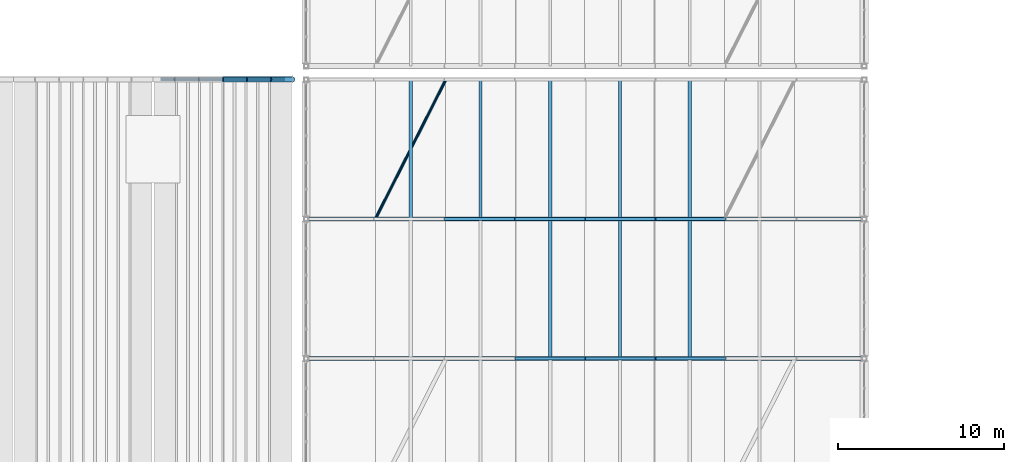
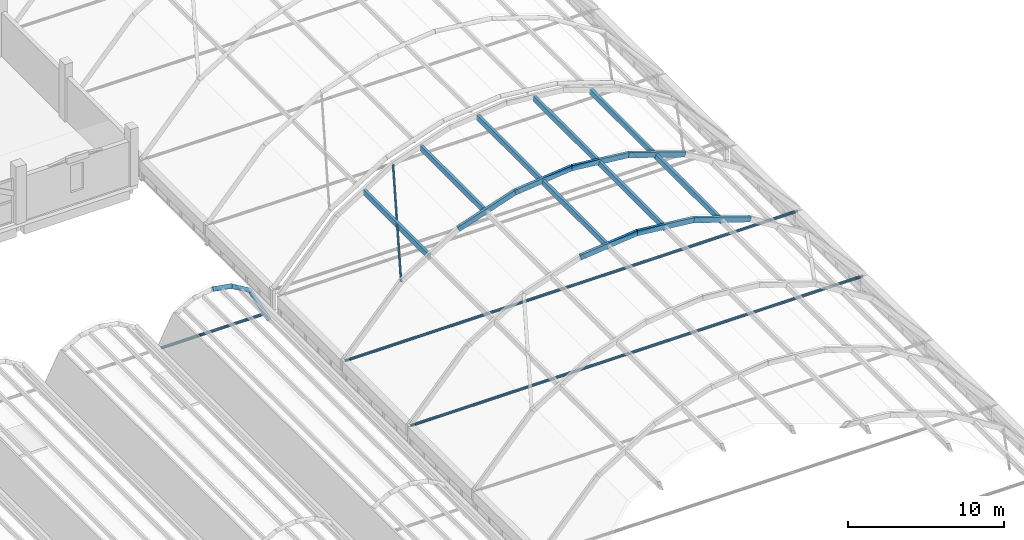
# One storey, part 30 of 114: 13 beams, 9 members.
"""IFC4 building model written with IfcOpenShell, lengths in metres."""

from ifc_helpers import new_model, si_unit, direction, frame, origin, origin_2d, place, context, subcontext, project, spatial, rectangle, hollow_rectangle, hollow_circle, extrude, material, material_profile, profile_set, type_object, element, save


model = new_model("IFC4")

# Units and contexts
model_context = context("Model", 3, precision=1e-05, world=origin(), true_north=direction((0.0, 1.0)))
body_context = subcontext(model_context, "Body", "Model", "MODEL_VIEW")
ifc_project = project(units=[si_unit("LENGTHUNIT", "METRE"), si_unit("AREAUNIT", "SQUARE_METRE"), si_unit("VOLUMEUNIT", "CUBIC_METRE"), si_unit("PLANEANGLEUNIT", "RADIAN"), si_unit("MASSUNIT", "GRAM", prefix="KILO")], contexts=[model_context])

# Site, building, storey
site_placement = place(None, origin())
site = spatial("IfcSite", under=ifc_project, at=site_placement, CompositionType="ELEMENT")
building_placement = place(site_placement, origin())
building = spatial("IfcBuilding", under=site, at=building_placement, Name="Xazarin Passage Department Store", CompositionType="ELEMENT")
storey_placement = place(building_placement, frame((0.0, 0.0, 14.39990234375)))
storey = spatial("IfcBuildingStorey", under=building, at=storey_placement, Name="L03", CompositionType="ELEMENT", Elevation=14.39990234375)

# Beams
ifc_material_1 = material(Name="Steel S355", Category="steel")
ifc_material_profile_1 = material_profile(ifc_material_1, hollow_circle(Radius=0.161865234375, WallThickness=0.01611328125, at=origin_2d()), Name="CHS 323.9x16")
ifc_profile_set_1 = profile_set([ifc_material_profile_1], Name="Steel S355")
beam_type_1 = type_object("IfcBeamType", Name="STR-BM-AR324", PredefinedType="BEAM", material=ifc_profile_set_1)
beam_1_placement = place(storey_placement, frame((63.0, 50.39990234375, 3.800048828125), z_axis=(0.985764236534, 0.0, -0.168133488547), x_axis=(0.0, 1.0, 0.0)))
element("IfcBeam", 1, at=beam_1_placement, inside=storey, type_object=beam_type_1, Name="L03 V3 Curved Shell Arch Rib 7.3.4", PredefinedType="BEAM", context=body_context, shape_type="SweptSolid", body=[
    extrude(hollow_circle(Radius=0.161865234375, WallThickness=0.01611328125, at=origin_2d()), origin(), (0.0, 0.0, 1.0), 1.420166015625),
])
beam_2_placement = place(storey_placement, frame((64.39990234375, 50.39990234375, 3.561279296875), z_axis=(0.861968986848, 0.0, -0.506961010051), x_axis=(0.0, 1.0, 0.0)))
element("IfcBeam", 2, at=beam_2_placement, inside=storey, type_object=beam_type_1, Name="L03 V3 Curved Shell Arch Rib 7.3.5", PredefinedType="BEAM", context=body_context, shape_type="SweptSolid", body=[
    extrude(hollow_circle(Radius=0.161865234375, WallThickness=0.01611328125, at=origin_2d()), origin(), (0.0, 0.0, 1.0), 1.624267578125),
])
beam_3_placement = place(storey_placement, frame((65.800048828125, 50.39990234375, 2.73779296875), z_axis=(0.455262137498, 0.0, -0.890357448535), x_axis=(0.0, 1.0, 0.0)))
element("IfcBeam", 3, at=beam_3_placement, inside=storey, type_object=beam_type_1, Name="L03 V3 Curved Shell Arch Rib 7.3.6", PredefinedType="BEAM", context=body_context, shape_type="SweptSolid", body=[
    extrude(hollow_circle(Radius=0.161865234375, WallThickness=0.01611328125, at=origin_2d()), origin(), (0.0, 0.0, 1.0), 3.074951171875),
])
ifc_material_profile_2 = material_profile(ifc_material_1, hollow_rectangle(XDim=0.199951171875, YDim=0.39990234375, WallThickness=0.01611328125, at=origin_2d()), Name="RHS 400x200x16")
ifc_profile_set_2 = profile_set([ifc_material_profile_2], Name="Steel S355")
beam_type_2 = type_object("IfcBeamType", Name="STR-BM-AR400", PredefinedType="BEAM", material=ifc_profile_set_2)
for number, where, z_axis, x_axis, name in (
    (4, (80.60009765625, 33.60009765625, 10.35400390625), (0.994407785938, 0.0, 0.105608499966), (0.0, 1.0, 0.0), "V2S Primary Arch Rib 5.4"),
    (5, (84.800048828125, 33.60009765625, 10.800048828125), (0.994407785938, 0.0, -0.105608499966), (0.0, 1.0, 0.0), "V2S Primary Arch Rib 5.5"),
):
    element("IfcBeam", number, at=place(storey_placement, frame(where, z_axis=z_axis, x_axis=x_axis)), inside=storey, type_object=beam_type_2, Name=name, PredefinedType="BEAM", context=body_context, shape_type="SweptSolid", body=[
        extrude(hollow_rectangle(XDim=0.199951171875, YDim=0.39990234375, WallThickness=0.01611328125, at=origin_2d()), origin(), (0.0, 0.0, 1.0), 4.2236328125),
    ])
beam_4_placement = place(storey_placement, frame((89.0, 33.60009765625, 10.35400390625), z_axis=(0.948457009421, 0.0, -0.316905823993), x_axis=(0.0, 1.0, 0.0)))
element("IfcBeam", 6, at=beam_4_placement, inside=storey, type_object=beam_type_2, Name="V2S Primary Arch Rib 5.6", PredefinedType="BEAM", context=body_context, shape_type="SweptSolid", body=[
    extrude(hollow_rectangle(XDim=0.199951171875, YDim=0.39990234375, WallThickness=0.01611328125, at=origin_2d()), origin(), (0.0, 0.0, 1.0), 4.42822265625),
])
beam_5_placement = place(storey_placement, frame((76.39990234375, 42.0, 8.95068359375), z_axis=(0.948462545979, 0.0, 0.31688925333), x_axis=(0.0, 1.0, 0.0)))
element("IfcBeam", 7, at=beam_5_placement, inside=storey, type_object=beam_type_2, Name="V2S Primary Arch Rib 6.3", PredefinedType="BEAM", context=body_context, shape_type="SweptSolid", body=[
    extrude(hollow_rectangle(XDim=0.199951171875, YDim=0.39990234375, WallThickness=0.01611328125, at=origin_2d()), origin(), (0.0, 0.0, 1.0), 4.428466796875),
])
for number, where, z_axis, x_axis, name in (
    (8, (80.60009765625, 42.0, 10.35400390625), (0.994407785938, 0.0, 0.105608499966), (0.0, 1.0, 0.0), "V2S Primary Arch Rib 6.4"),
    (9, (84.800048828125, 42.0, 10.800048828125), (0.994407785938, 0.0, -0.105608499966), (0.0, 1.0, 0.0), "V2S Primary Arch Rib 6.5"),
):
    element("IfcBeam", number, at=place(storey_placement, frame(where, z_axis=z_axis, x_axis=x_axis)), inside=storey, type_object=beam_type_2, Name=name, PredefinedType="BEAM", context=body_context, shape_type="SweptSolid", body=[
        extrude(hollow_rectangle(XDim=0.199951171875, YDim=0.39990234375, WallThickness=0.01611328125, at=origin_2d()), origin(), (0.0, 0.0, 1.0), 4.2236328125),
    ])
beam_6_placement = place(storey_placement, frame((89.0, 42.0, 10.35400390625), z_axis=(0.948457009421, 0.0, -0.316905823993), x_axis=(0.0, 1.0, 0.0)))
element("IfcBeam", 10, at=beam_6_placement, inside=storey, type_object=beam_type_2, Name="V2S Primary Arch Rib 6.6", PredefinedType="BEAM", context=body_context, shape_type="SweptSolid", body=[
    extrude(hollow_rectangle(XDim=0.199951171875, YDim=0.39990234375, WallThickness=0.01611328125, at=origin_2d()), origin(), (0.0, 0.0, 1.0), 4.42822265625),
])
ifc_material_profile_3 = material_profile(ifc_material_1, hollow_circle(Radius=0.109619140625, WallThickness=0.012451171875, at=origin_2d()), Name="CHS 219.1x12.5")
ifc_profile_set_3 = profile_set([ifc_material_profile_3], Name="Steel S355")
beam_type_3 = type_object("IfcBeamType", Name="STR-BM-TIE219", PredefinedType="BEAM", material=ifc_profile_set_3)
for number, where, z_axis, x_axis, name in (
    (11, (68.050048828125, 33.60009765625, 1.53173828125), (1.0, 0.0, 0.0), (0.0, 1.0, 0.0), "V2S Arch Tie Beam 5"),
    (12, (68.050048828125, 42.0, 1.53173828125), (1.0, 0.0, 0.0), (0.0, 1.0, 0.0), "V2S Arch Tie Beam 6"),
):
    element("IfcBeam", number, at=place(storey_placement, frame(where, z_axis=z_axis, x_axis=x_axis)), inside=storey, type_object=beam_type_3, Name=name, PredefinedType="BEAM", context=body_context, shape_type="SweptSolid", body=[
        extrude(hollow_circle(Radius=0.109619140625, WallThickness=0.012451171875, at=origin_2d()), origin(), (0.0, 0.0, 1.0), 33.5),
    ])
beam_7_placement = place(storey_placement, frame((59.25, 50.39990234375, 0.52001953125), z_axis=(1.0, 0.0, 0.0), x_axis=(0.0, 1.0, 0.0)))
element("IfcBeam", 13, at=beam_7_placement, inside=storey, type_object=beam_type_3, Name="L03 V3 Barrel Shell Tie 7.3", PredefinedType="BEAM", context=body_context, shape_type="SweptSolid", body=[
    extrude(hollow_circle(Radius=0.109619140625, WallThickness=0.012451171875, at=origin_2d()), origin(), (0.0, 0.0, 1.0), 7.5),
])

# Members
ifc_material_profile_4 = material_profile(ifc_material_1, hollow_circle(Radius=0.084228515625, WallThickness=0.010009765625, at=origin_2d()), Name="CHS 168.3x10")
ifc_profile_set_4 = profile_set([ifc_material_profile_4], Name="Steel S355")
member_type_1 = type_object("IfcMemberType", Name="STR-MEM-BR168", PredefinedType="BRACE", material=ifc_profile_set_4)
member_placement = place(storey_placement, frame((72.199951171875, 42.050048828125, 6.281982421875), z_axis=(0.434609592328, 0.858886375073, 0.270977299733), x_axis=(-0.892269998561, 0.451502214467, 0.0)))
element("IfcMember", 14, at=member_placement, inside=storey, type_object=member_type_1, Name="V2S Gridshell Diagonal Brace 6.1", PredefinedType="BRACE", context=body_context, shape_type="SweptSolid", body=[
    extrude(hollow_circle(Radius=0.084228515625, WallThickness=0.010009765625, at=origin_2d()), origin(), (0.0, 0.0, 1.0), 9.663818359375),
])
ifc_material_2 = material(Name="Glulam GL28h", Category="wood")
ifc_material_profile_5 = material_profile(ifc_material_2, rectangle(XDim=0.199951171875, YDim=0.43994140625, at=origin_2d()), Name="GL28h 200x440")
ifc_profile_set_5 = profile_set([ifc_material_profile_5], Name="Glulam GL28h")
member_type_2 = type_object("IfcMemberType", Name="STR-MEM-GL440", PredefinedType="PURLIN", material=ifc_profile_set_5)
for number, where, z_axis, x_axis, name in (
    (15, (82.699951171875, 33.6201171875, 10.43701171875), (0.0, 1.0, 0.0), (-1.0, 0.0, 0.0), "V2S Glulam Gridshell Purlin 5.4"),
    (16, (86.89990234375, 33.6201171875, 10.43701171875), (0.0, 1.0, 0.0), (-1.0, 0.0, 0.0), "V2S Glulam Gridshell Purlin 5.5"),
    (17, (91.10009765625, 33.6201171875, 9.512451171875), (0.0, 1.0, 0.0), (-1.0, 0.0, 0.0), "V2S Glulam Gridshell Purlin 5.6"),
    (18, (74.300048828125, 42.02001953125, 7.501220703125), (0.0, 1.0, 0.0), (-1.0, 0.0, 0.0), "V2S Glulam Gridshell Purlin 6.2"),
    (19, (78.5, 42.02001953125, 9.512451171875), (0.0, 1.0, 0.0), (-1.0, 0.0, 0.0), "V2S Glulam Gridshell Purlin 6.3"),
    (20, (82.699951171875, 42.02001953125, 10.43701171875), (0.0, 1.0, 0.0), (-1.0, 0.0, 0.0), "V2S Glulam Gridshell Purlin 6.4"),
    (21, (86.89990234375, 42.02001953125, 10.43701171875), (0.0, 1.0, 0.0), (-1.0, 0.0, 0.0), "V2S Glulam Gridshell Purlin 6.5"),
    (22, (91.10009765625, 42.02001953125, 9.512451171875), (0.0, 1.0, 0.0), (-1.0, 0.0, 0.0), "V2S Glulam Gridshell Purlin 6.6"),
):
    element("IfcMember", number, at=place(storey_placement, frame(where, z_axis=z_axis, x_axis=x_axis)), inside=storey, type_object=member_type_2, Name=name, PredefinedType="PURLIN", context=body_context, shape_type="SweptSolid", body=[
        extrude(rectangle(XDim=0.199951171875, YDim=0.43994140625, at=origin_2d()), origin(), (0.0, 0.0, 1.0), 8.35986328125),
    ])

save(model, "model.ifc")
